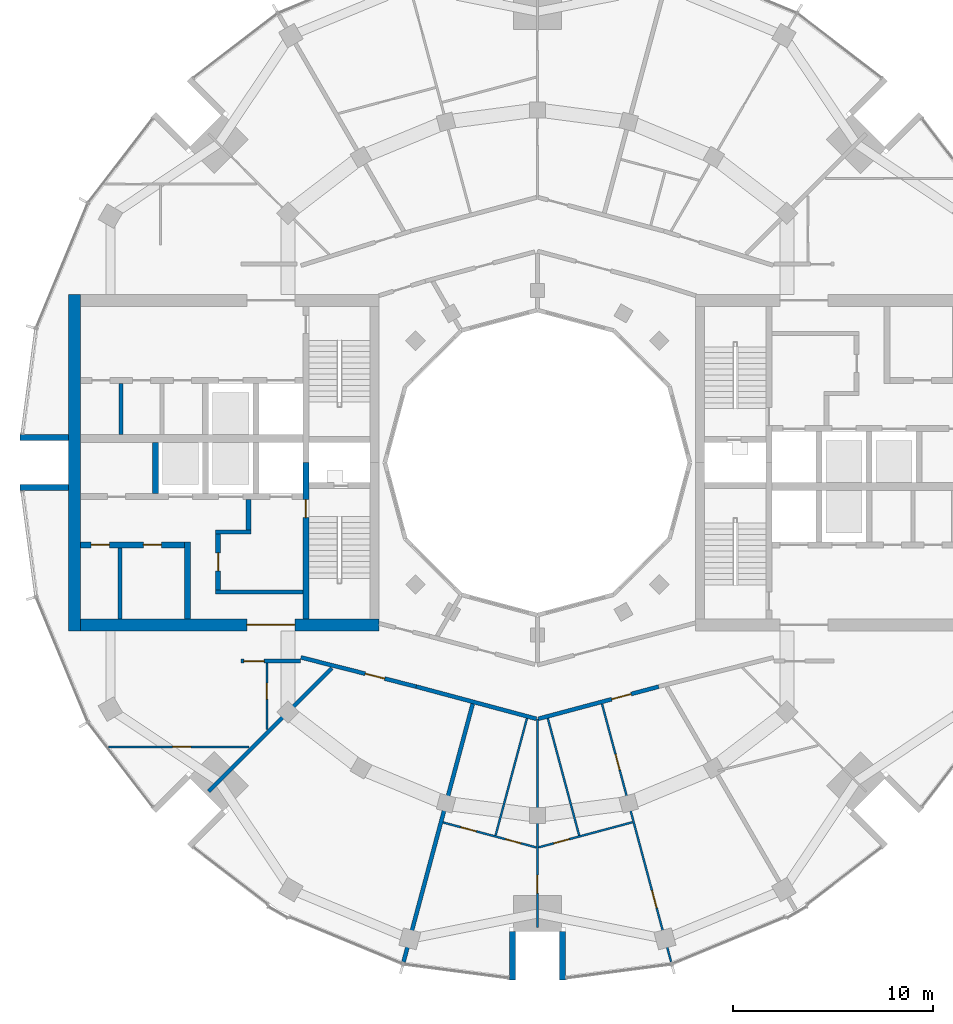
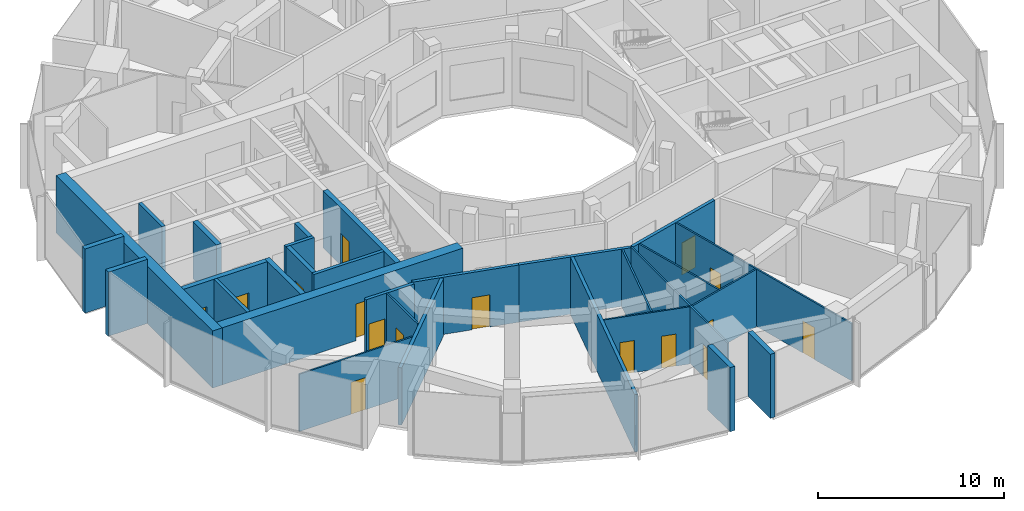
# One storey, part 8 of 15: 30 walls, 16 doors, 16 openings.
"""IFC4 building model written with IfcOpenShell, lengths in metres."""

from ifc_helpers import new_model, si_unit, direction, frame, frame_2d, origin, place, context, subcontext, project, spatial, rectangle, extrude, material, layer, layer_set, type_object, element, fill, save


model = new_model("IFC4")

# Units and contexts
model_context = context("Model", 3, precision=1e-05, world=origin(), true_north=direction((0.0, 1.0)))
body_context = subcontext(model_context, "Body", "Model", "MODEL_VIEW")
ifc_project = project(units=[si_unit("LENGTHUNIT", "METRE"), si_unit("AREAUNIT", "SQUARE_METRE"), si_unit("VOLUMEUNIT", "CUBIC_METRE"), si_unit("PLANEANGLEUNIT", "RADIAN"), si_unit("MASSUNIT", "GRAM", prefix="KILO")], contexts=[model_context])

# Site, building, storey
site_placement = place(None, origin())
site = spatial("IfcSite", under=ifc_project, at=site_placement, CompositionType="ELEMENT")
building_placement = place(site_placement, origin())
building = spatial("IfcBuilding", under=site, at=building_placement, Name="Torre Brocal", CompositionType="ELEMENT")
storey_placement = place(building_placement, frame((0.0, 0.0, 266.699951171875)))
storey = spatial("IfcBuildingStorey", under=building, at=storey_placement, Name="L61", CompositionType="ELEMENT", Elevation=266.699951171875)

# Walls
ifc_material_1 = material(Name="Masonry block", Category="masonry")
ifc_layer_1 = layer(ifc_material_1, 0.199951171875)
ifc_layer_set_1 = layer_set([ifc_layer_1], Name="Masonry block")
wall_type_1 = type_object("IfcWallType", Name="CORE PARTITION 200 UNDER 450 SLAB", PredefinedType="PARTITIONING", material=ifc_layer_set_1)
wall_1_placement = place(storey_placement, frame((59.2333984375, 78.949951171875, 0.0), z_axis=(0.0, 0.0, 1.0), x_axis=(0.0, -1.0, 0.0)))
element("IfcWall", 1, at=wall_1_placement, inside=storey, type_object=wall_type_1, Name="Wall CP200-S450", PredefinedType="PARTITIONING", context=body_context, shape_type="SweptSolid", body=[
    extrude(rectangle(XDim=2.550048828125, YDim=0.199951171875, at=frame_2d((1.27490234375, 0.0))), origin(), (0.0, 0.0, 1.0), 3.75),
])
wall_2_placement = place(storey_placement, frame((59.176025390625, 70.75, 0.0), z_axis=(0.0, 0.0, 1.0), x_axis=(0.0, -1.0, 0.0)))
element("IfcWall", 2, at=wall_2_placement, inside=storey, type_object=wall_type_1, Name="Wall CP200-S450", PredefinedType="PARTITIONING", context=body_context, shape_type="SweptSolid", body=[
    extrude(rectangle(XDim=3.550048828125, YDim=0.199951171875, at=frame_2d((1.77490234375, 0.0))), origin(), (0.0, 0.0, 1.0), 3.75),
])
ifc_material_2 = material(Name="Concrete C60", Category="concrete")
ifc_layer_2 = layer(ifc_material_2, 0.199951171875)
ifc_layer_set_2 = layer_set([ifc_layer_2], Name="Concrete C60")
wall_type_2 = type_object("IfcWallType", Name="CORE WALL 200 C60 UNDER 450 SLAB", PredefinedType="SHEAR", material=ifc_layer_set_2)
wall_3_placement = place(storey_placement, frame((68.300048828125, 68.550048828125, 0.0), z_axis=(0.0, 0.0, 1.0), x_axis=(-1.0, 0.0, 0.0)))
element("IfcWall", 3, at=wall_3_placement, inside=storey, type_object=wall_type_2, Name="Wall CW200-60-S450", PredefinedType="SHEAR", context=body_context, shape_type="SweptSolid", body=[
    extrude(rectangle(XDim=4.35009765625, YDim=0.199951171875, at=frame_2d((2.175048828125, 0.0))), origin(), (0.0, 0.0, 1.0), 3.75),
])
wall_4_placement = place(storey_placement, frame((65.699951171875, 71.550048828125, 0.0), z_axis=(0.0, 0.0, 1.0), x_axis=(-1.0, 0.0, 0.0)))
element("IfcWall", 4, at=wall_4_placement, inside=storey, type_object=wall_type_2, Name="Wall CW200-60-S450", PredefinedType="SHEAR", context=body_context, shape_type="SweptSolid", body=[
    extrude(rectangle(XDim=1.75, YDim=0.199951171875, at=frame_2d((0.875, 0.0))), origin(), (0.0, 0.0, 1.0), 3.75),
])

# Wall, opening, door
ifc_material_3 = material(Name="Concrete C60", Category="concrete")
ifc_layer_3 = layer(ifc_material_3, 0.25)
ifc_layer_set_3 = layer_set([ifc_layer_3], Name="Concrete C60")
wall_type_3 = type_object("IfcWallType", Name="CORE WALL 250 C60 UNDER 450 SLAB", PredefinedType="SHEAR", material=ifc_layer_set_3)
wall_5_placement = place(storey_placement, frame((64.074951171875, 71.449951171875, 0.0), z_axis=(0.0, 0.0, 1.0), x_axis=(0.0, -1.0, 0.0)))
wall_5 = element("IfcWall", 5, at=wall_5_placement, inside=storey, type_object=wall_type_3, Name="Wall CW250-60-S450", PredefinedType="SHEAR", context=body_context, shape_type="SweptSolid", body=[
    extrude(rectangle(XDim=2.800048828125, YDim=0.25, at=frame_2d((1.39990234375, 0.0))), origin(), (0.0, 0.0, 1.0), 3.75),
])
opening_1_placement = place(wall_5_placement, frame((0.949951171875, 0.0, 0.0)))
opening_1 = element("IfcOpeningElement", 6, at=opening_1_placement, cuts=wall_5, Name="Opening W-D08", PredefinedType="OPENING", context=body_context, shape_type="SweptSolid", body=[
    extrude(rectangle(XDim=0.89990234375, YDim=2.10009765625, at=frame_2d((0.449951171875, 1.050048828125))), frame((0.0, 0.135009765625, 0.0), z_axis=(0.0, -1.0, 0.0), x_axis=(1.0, 0.0, 0.0)), (0.0, 0.0, 1.0), 0.27001953125),
])
ifc_material_4 = material(Name="Steel A653", Category="steel")
door_type_1 = type_object("IfcDoorType", Name="LOBBY DOOR FD120 900X2100", OperationType="SINGLE_SWING_RIGHT", PredefinedType="DOOR", material=ifc_material_4)
door_1_placement = place(opening_1_placement, origin())
door_1 = element("IfcDoor", 7, at=door_1_placement, inside=storey, type_object=door_type_1, Name="Door W-D08", OperationType="SINGLE_SWING_LEFT", OverallHeight=2.10009765625, OverallWidth=0.89990234375, PredefinedType="DOOR", context=body_context, shape_type="SweptSolid", body=[
    extrude(rectangle(XDim=0.89990234375, YDim=2.10009765625, at=frame_2d((0.449951171875, 1.050048828125))), frame((0.0, 0.02490234375, 0.0), z_axis=(0.0, -1.0, 0.0), x_axis=(1.0, 0.0, 0.0)), (0.0, 0.0, 1.0), 0.050048828125),
])
fill(opening_1, door_1)

# Wall
wall_6_placement = place(storey_placement, frame((65.574951171875, 73.14990234375, 0.0), z_axis=(0.0, 0.0, 1.0), x_axis=(0.0, -1.0, 0.0)))
element("IfcWall", 8, at=wall_6_placement, inside=storey, type_object=wall_type_3, Name="Wall CW250-60-S450", PredefinedType="SHEAR", context=body_context, shape_type="SweptSolid", body=[
    extrude(rectangle(XDim=1.5, YDim=0.25, at=frame_2d((0.75, 0.0))), origin(), (0.0, 0.0, 1.0), 3.75),
])

# Wall, opening, door
ifc_material_5 = material(Name="Concrete C60", Category="concrete")
ifc_layer_4 = layer(ifc_material_5, 0.300048828125)
ifc_layer_set_4 = layer_set([ifc_layer_4], Name="Concrete C60")
wall_type_4 = type_object("IfcWallType", Name="CORE WALL 300 C60 UNDER 450 SLAB", PredefinedType="SHEAR", material=ifc_layer_set_4)
wall_7_placement = place(storey_placement, frame((68.449951171875, 75.0, 0.0), z_axis=(0.0, 0.0, 1.0), x_axis=(0.0, -1.0, 0.0)))
wall_7 = element("IfcWall", 9, at=wall_7_placement, inside=storey, type_object=wall_type_4, Name="Wall CW300-60-S450", PredefinedType="SHEAR", context=body_context, shape_type="SweptSolid", body=[
    extrude(rectangle(XDim=7.800048828125, YDim=0.300048828125, at=frame_2d((3.89990234375, 0.0))), origin(), (0.0, 0.0, 1.0), 3.75),
])
opening_2_placement = place(wall_7_placement, frame((1.85009765625, 0.0, 0.0)))
opening_2 = element("IfcOpeningElement", 10, at=opening_2_placement, cuts=wall_7, Name="Opening W-D02", PredefinedType="OPENING", context=body_context, shape_type="SweptSolid", body=[
    extrude(rectangle(XDim=0.89990234375, YDim=2.10009765625, at=frame_2d((0.449951171875, 1.050048828125))), frame((0.0, 0.159912109375, 0.0), z_axis=(0.0, -1.0, 0.0), x_axis=(1.0, 0.0, 0.0)), (0.0, 0.0, 1.0), 0.320068359375),
])
ifc_material_6 = material(Name="Steel A653", Category="steel")
door_type_2 = type_object("IfcDoorType", Name="STAIR DOOR FD120 900X2100", OperationType="SINGLE_SWING_RIGHT", PredefinedType="DOOR", material=ifc_material_6)
door_2_placement = place(opening_2_placement, origin())
door_2 = element("IfcDoor", 11, at=door_2_placement, inside=storey, type_object=door_type_2, Name="Door W-D02", OperationType="SINGLE_SWING_LEFT", OverallHeight=2.10009765625, OverallWidth=0.89990234375, PredefinedType="DOOR", context=body_context, shape_type="SweptSolid", body=[
    extrude(rectangle(XDim=0.89990234375, YDim=2.10009765625, at=frame_2d((0.449951171875, 1.050048828125))), frame((0.0, 0.02490234375, 0.0), z_axis=(0.0, -1.0, 0.0), x_axis=(1.0, 0.0, 0.0)), (0.0, 0.0, 1.0), 0.050048828125),
])
fill(opening_2, door_2)

# Walls
wall_8_placement = place(storey_placement, frame((60.949951171875, 76.0, 0.0), z_axis=(0.0, 0.0, 1.0), x_axis=(0.0, -1.0, 0.0)))
element("IfcWall", 12, at=wall_8_placement, inside=storey, type_object=wall_type_4, Name="Wall CW300-60-S450", PredefinedType="SHEAR", context=body_context, shape_type="SweptSolid", body=[
    extrude(rectangle(XDim=2.550048828125, YDim=0.300048828125, at=frame_2d((1.27490234375, 0.0))), origin(), (0.0, 0.0, 1.0), 3.75),
])
wall_9_placement = place(storey_placement, frame((62.550048828125, 71.050048828125, 0.0), z_axis=(0.0, 0.0, 1.0), x_axis=(0.0, -1.0, 0.0)))
element("IfcWall", 13, at=wall_9_placement, inside=storey, type_object=wall_type_4, Name="Wall CW300-60-S450", PredefinedType="SHEAR", context=body_context, shape_type="SweptSolid", body=[
    extrude(rectangle(XDim=3.85009765625, YDim=0.300048828125, at=frame_2d((1.925048828125, 0.0))), origin(), (0.0, 0.0, 1.0), 3.75),
])

# Wall, openings, doors
wall_10_placement = place(storey_placement, frame((62.39990234375, 70.89990234375, 0.0), z_axis=(0.0, 0.0, 1.0), x_axis=(-1.0, 0.0, 0.0)))
wall_10 = element("IfcWall", 14, at=wall_10_placement, inside=storey, type_object=wall_type_4, Name="Wall CW300-60-S450", PredefinedType="SHEAR", context=body_context, shape_type="SweptSolid", body=[
    extrude(rectangle(XDim=5.199951171875, YDim=0.300048828125, at=frame_2d((2.60009765625, 0.0))), origin(), (0.0, 0.0, 1.0), 3.75),
])
opening_3_placement = place(wall_10_placement, frame((1.162109375, 0.0, 0.0)))
opening_3 = element("IfcOpeningElement", 15, at=opening_3_placement, cuts=wall_10, Name="Opening W-D09", PredefinedType="OPENING", context=body_context, shape_type="SweptSolid", body=[
    extrude(rectangle(XDim=0.89990234375, YDim=2.10009765625, at=frame_2d((0.449951171875, 1.050048828125))), frame((0.0, 0.159912109375, 0.0), z_axis=(0.0, -1.0, 0.0), x_axis=(1.0, 0.0, 0.0)), (0.0, 0.0, 1.0), 0.320068359375),
])
opening_4_placement = place(wall_10_placement, frame((3.761962890625, 0.0, 0.0)))
opening_4 = element("IfcOpeningElement", 16, at=opening_4_placement, cuts=wall_10, Name="Opening W-D10", PredefinedType="OPENING", context=body_context, shape_type="SweptSolid", body=[
    extrude(rectangle(XDim=0.89990234375, YDim=2.10009765625, at=frame_2d((0.449951171875, 1.050048828125))), frame((0.0, 0.159912109375, 0.0), z_axis=(0.0, -1.0, 0.0), x_axis=(1.0, 0.0, 0.0)), (0.0, 0.0, 1.0), 0.320068359375),
])
ifc_material_7 = material(Name="Steel A653", Category="steel")
door_type_3 = type_object("IfcDoorType", Name="ROOM DOOR FD30S 900X2100", OperationType="SINGLE_SWING_LEFT", PredefinedType="DOOR", material=ifc_material_7)
door_3_placement = place(opening_3_placement, origin())
door_3 = element("IfcDoor", 17, at=door_3_placement, inside=storey, type_object=door_type_3, Name="Door W-D09", OperationType="SINGLE_SWING_RIGHT", OverallHeight=2.10009765625, OverallWidth=0.89990234375, PredefinedType="DOOR", context=body_context, shape_type="SweptSolid", body=[
    extrude(rectangle(XDim=0.89990234375, YDim=2.10009765625, at=frame_2d((0.449951171875, 1.050048828125))), frame((0.0, 0.02490234375, 0.0), z_axis=(0.0, -1.0, 0.0), x_axis=(1.0, 0.0, 0.0)), (0.0, 0.0, 1.0), 0.050048828125),
])
fill(opening_3, door_3)
door_4_placement = place(opening_4_placement, origin())
door_4 = element("IfcDoor", 18, at=door_4_placement, inside=storey, type_object=door_type_3, Name="Door W-D10", OperationType="SINGLE_SWING_LEFT", OverallHeight=2.10009765625, OverallWidth=0.89990234375, PredefinedType="DOOR", context=body_context, shape_type="SweptSolid", body=[
    extrude(rectangle(XDim=0.89990234375, YDim=2.10009765625, at=frame_2d((0.449951171875, 1.050048828125))), frame((0.0, 0.02490234375, 0.0), z_axis=(0.0, -1.0, 0.0), x_axis=(1.0, 0.0, 0.0)), (0.0, 0.0, 1.0), 0.050048828125),
])
fill(opening_4, door_4)

# Wall, opening, door
ifc_material_8 = material(Name="Concrete C60", Category="concrete")
ifc_layer_5 = layer(ifc_material_8, 0.60009765625)
ifc_layer_set_5 = layer_set([ifc_layer_5], Name="Concrete C60")
wall_type_5 = type_object("IfcWallType", Name="CORE WALL 600 C60 UNDER 450 SLAB", PredefinedType="SHEAR", material=ifc_layer_set_5)
wall_11_placement = place(storey_placement, frame((72.10009765625, 66.89990234375, 0.0), z_axis=(0.0, 0.0, 1.0), x_axis=(-1.0, 0.0, 0.0)))
wall_11 = element("IfcWall", 19, at=wall_11_placement, inside=storey, type_object=wall_type_5, Name="Wall CW600-60-S450", PredefinedType="SHEAR", context=body_context, shape_type="SweptSolid", body=[
    extrude(rectangle(XDim=14.900146484375, YDim=0.60009765625, at=frame_2d((7.4501953125, 0.0))), origin(), (0.0, 0.0, 1.0), 3.75),
])
opening_5_placement = place(wall_11_placement, frame((4.199951171875, 0.0, 0.0)))
opening_5 = element("IfcOpeningElement", 20, at=opening_5_placement, cuts=wall_11, Name="Opening W-D34", PredefinedType="OPENING", context=body_context, shape_type="SweptSolid", body=[
    extrude(rectangle(XDim=2.39990234375, YDim=2.39990234375, at=frame_2d((1.199951171875, 1.199951171875))), frame((0.0, 0.31005859375, 0.0), z_axis=(0.0, -1.0, 0.0), x_axis=(1.0, 0.0, 0.0)), (0.0, 0.0, 1.0), 0.6201171875),
])
ifc_material_9 = material(Name="Steel A653", Category="steel")
door_type_4 = type_object("IfcDoorType", Name="DOUBLE FIRE DOOR FD90 2400X2400", OperationType="DOUBLE_DOOR_SINGLE_SWING", PredefinedType="DOOR", material=ifc_material_9)
door_5_placement = place(opening_5_placement, frame((2.39990234375, 0.0, 0.0), z_axis=(0.0, 0.0, 1.0), x_axis=(-1.0, 0.0, 0.0)))
door_5 = element("IfcDoor", 21, at=door_5_placement, inside=storey, type_object=door_type_4, Name="Door W-D34", OperationType="DOUBLE_DOOR_SINGLE_SWING", OverallHeight=2.39990234375, OverallWidth=2.39990234375, PredefinedType="DOOR", context=body_context, shape_type="SweptSolid", body=[
    extrude(rectangle(XDim=2.39990234375, YDim=2.39990234375, at=frame_2d((1.199951171875, 1.199951171875))), frame((0.0, 0.02490234375, 0.0), z_axis=(0.0, -1.0, 0.0), x_axis=(1.0, 0.0, 0.0)), (0.0, 0.0, 1.0), 0.050048828125),
])
fill(opening_5, door_5)

# Walls
wall_12_placement = place(storey_placement, frame((56.89990234375, 83.39990234375, 0.0), z_axis=(0.0, 0.0, 1.0), x_axis=(0.0, -1.0, 0.0)))
element("IfcWall", 22, at=wall_12_placement, inside=storey, type_object=wall_type_5, Name="Wall CW600-60-S450", PredefinedType="SHEAR", context=body_context, shape_type="SweptSolid", body=[
    extrude(rectangle(XDim=16.7998046875, YDim=0.60009765625, at=frame_2d((8.39990234375, 0.0))), origin(), (0.0, 0.0, 1.0), 3.75),
])
ifc_material_10 = material(Name="Concrete C60", Category="concrete")
ifc_layer_6 = layer(ifc_material_10, 0.300048828125)
ifc_layer_set_6 = layer_set([ifc_layer_6], Name="Concrete C60")
wall_type_6 = type_object("IfcWallType", Name="NOTCH RETURN WALL 300 C60", PredefinedType="NOTDEFINED", material=ifc_layer_set_6)
for number, where, z_axis, x_axis, name in (
    (23, (56.60009765625, 76.25, 0.0), (0.0, 0.0, 1.0), (-1.0, 0.0, 0.0), "NOTCH RETURN WALL"),
    (24, (56.60009765625, 73.75, 0.0), (0.0, 0.0, 1.0), (-1.0, 0.0, 0.0), "NOTCH RETURN WALL"),
    (25, (78.75, 51.60009765625, 0.0), (0.0, 0.0, 1.0), (0.0, -1.0, 0.0), "NOTCH RETURN WALL"),
    (26, (81.25, 51.60009765625, 0.0), (0.0, 0.0, 1.0), (0.0, -1.0, 0.0), "NOTCH RETURN WALL"),
):
    element("IfcWall", number, at=place(storey_placement, frame(where, z_axis=z_axis, x_axis=x_axis)), inside=storey, type_object=wall_type_6, Name=name, PredefinedType="NOTDEFINED", context=body_context, shape_type="SweptSolid", body=[
        extrude(rectangle(XDim=2.415771484375, YDim=0.300048828125, at=frame_2d((1.2080078125, 0.0))), origin(), (0.0, 0.0, 1.0), 4.199951171875),
    ])

# Wall, opening, door
ifc_material_11 = material(Name="Gypsum board", Category="Gypsum")
ifc_layer_7 = layer(ifc_material_11, 0.10009765625)
ifc_layer_set_7 = layer_set([ifc_layer_7], Name="Gypsum board")
wall_type_7 = type_object("IfcWallType", Name="PARTITION 100", PredefinedType="PARTITIONING", material=ifc_layer_set_7)
wall_13_placement = place(storey_placement, frame((58.60009765625, 60.81201171875, 0.0), z_axis=(0.0, 0.0, 1.0), x_axis=(1.0, 0.0, 0.0)))
wall_13 = element("IfcWall", 27, at=wall_13_placement, inside=storey, type_object=wall_type_7, Name="ROOM PARTITION", PredefinedType="PARTITIONING", context=body_context, shape_type="SweptSolid", body=[
    extrude(rectangle(XDim=7.02197265625, YDim=0.10009765625, at=frame_2d((3.510986328125, 0.0))), origin(), (0.0, 0.0, 1.0), 3.75),
])
opening_6_placement = place(wall_13_placement, frame((3.20458984375, 0.0, 0.0)))
opening_6 = element("IfcOpeningElement", 28, at=opening_6_placement, cuts=wall_13, Name="Opening B05-D31", PredefinedType="OPENING", context=body_context, shape_type="SweptSolid", body=[
    extrude(rectangle(XDim=0.89990234375, YDim=2.10009765625, at=frame_2d((0.449951171875, 1.050048828125))), frame((0.0, 0.06005859375, 0.0), z_axis=(0.0, -1.0, 0.0), x_axis=(1.0, 0.0, 0.0)), (0.0, 0.0, 1.0), 0.1201171875),
])
ifc_material_12 = material(Name="Timber", Category="wood")
door_type_5 = type_object("IfcDoorType", Name="ROOM DOOR 900X2100", OperationType="SINGLE_SWING_LEFT", PredefinedType="DOOR", material=ifc_material_12)
door_6_placement = place(opening_6_placement, frame((0.89990234375, 0.0, 0.0), z_axis=(0.0, 0.0, 1.0), x_axis=(-1.0, 0.0, 0.0)))
door_6 = element("IfcDoor", 29, at=door_6_placement, inside=storey, type_object=door_type_5, Name="B05-D31", OperationType="SINGLE_SWING_LEFT", OverallHeight=2.10009765625, OverallWidth=0.89990234375, PredefinedType="DOOR", context=body_context, shape_type="SweptSolid", body=[
    extrude(rectangle(XDim=0.89990234375, YDim=2.10009765625, at=frame_2d((0.449951171875, 1.050048828125))), frame((0.0, 0.02490234375, 0.0), z_axis=(0.0, -1.0, 0.0), x_axis=(1.0, 0.0, 0.0)), (0.0, 0.0, 1.0), 0.050048828125),
])
fill(opening_6, door_6)

wall_14_placement = place(storey_placement, frame((66.5, 61.68994140625, 0.0), z_axis=(0.0, 0.0, 1.0), x_axis=(0.0, 1.0, 0.0)))
wall_14 = element("IfcWall", 30, at=wall_14_placement, inside=storey, type_object=wall_type_7, Name="BATHROOM WALL", PredefinedType="PARTITIONING", context=body_context, shape_type="SweptSolid", body=[
    extrude(rectangle(XDim=3.31005859375, YDim=0.10009765625, at=frame_2d((1.655029296875, 0.0))), origin(), (0.0, 0.0, 1.0), 3.75),
])
opening_7_placement = place(wall_14_placement, frame((1.510009765625, 0.0, 0.0)))
opening_7 = element("IfcOpeningElement", 31, at=opening_7_placement, cuts=wall_14, Name="Opening B05-D33", PredefinedType="OPENING", context=body_context, shape_type="SweptSolid", body=[
    extrude(rectangle(XDim=0.800048828125, YDim=2.10009765625, at=frame_2d((0.39990234375, 1.050048828125))), frame((0.0, 0.06005859375, 0.0), z_axis=(0.0, -1.0, 0.0), x_axis=(1.0, 0.0, 0.0)), (0.0, 0.0, 1.0), 0.1201171875),
])
ifc_material_13 = material(Name="Timber", Category="wood")
door_type_6 = type_object("IfcDoorType", Name="BATHROOM DOOR 800X2100", OperationType="SINGLE_SWING_LEFT", PredefinedType="DOOR", material=ifc_material_13)
door_7_placement = place(opening_7_placement, frame((0.800048828125, 0.0, 0.0), z_axis=(0.0, 0.0, 1.0), x_axis=(-1.0, 0.0, 0.0)))
door_7 = element("IfcDoor", 32, at=door_7_placement, inside=storey, type_object=door_type_6, Name="B05-D33", OperationType="SINGLE_SWING_LEFT", OverallHeight=2.10009765625, OverallWidth=0.800048828125, PredefinedType="DOOR", context=body_context, shape_type="SweptSolid", body=[
    extrude(rectangle(XDim=0.800048828125, YDim=2.10009765625, at=frame_2d((0.39990234375, 1.050048828125))), frame((0.0, 0.02490234375, 0.0), z_axis=(0.0, -1.0, 0.0), x_axis=(1.0, 0.0, 0.0)), (0.0, 0.0, 1.0), 0.050048828125),
])
fill(opening_7, door_7)

# Wall, openings, doors
wall_15_placement = place(storey_placement, frame((75.29296875, 57.046142578125, 0.0), z_axis=(0.0, 0.0, 1.0), x_axis=(0.965904119246, -0.258900043306, 0.0)))
wall_15 = element("IfcWall", 33, at=wall_15_placement, inside=storey, type_object=wall_type_7, Name="BATHROOM WALL", PredefinedType="PARTITIONING", context=body_context, shape_type="SweptSolid", body=[
    extrude(rectangle(XDim=4.81298828125, YDim=0.10009765625, at=frame_2d((2.406494140625, 0.0))), origin(), (0.0, 0.0, 1.0), 3.75),
])
opening_8_placement = place(wall_15_placement, frame((0.90966796875, 0.0, 0.0)))
opening_8 = element("IfcOpeningElement", 34, at=opening_8_placement, cuts=wall_15, Name="Opening B05-D28", PredefinedType="OPENING", context=body_context, shape_type="SweptSolid", body=[
    extrude(rectangle(XDim=0.800048828125, YDim=2.10009765625, at=frame_2d((0.39990234375, 1.050048828125))), frame((0.0, 0.06005859375, 0.0), z_axis=(0.0, -1.0, 0.0), x_axis=(1.0, 0.0, 0.0)), (0.0, 0.0, 1.0), 0.1201171875),
])
opening_9_placement = place(wall_15_placement, frame((3.226806640625, 0.0, 0.0)))
opening_9 = element("IfcOpeningElement", 35, at=opening_9_placement, cuts=wall_15, Name="Opening B05-D29", PredefinedType="OPENING", context=body_context, shape_type="SweptSolid", body=[
    extrude(rectangle(XDim=0.800048828125, YDim=2.10009765625, at=frame_2d((0.39990234375, 1.050048828125))), frame((0.0, 0.06005859375, 0.0), z_axis=(0.0, -1.0, 0.0), x_axis=(1.0, 0.0, 0.0)), (0.0, 0.0, 1.0), 0.1201171875),
])
door_8_placement = place(opening_8_placement, origin())
door_8 = element("IfcDoor", 36, at=door_8_placement, inside=storey, type_object=door_type_6, Name="B05-D28", OperationType="SINGLE_SWING_LEFT", OverallHeight=2.10009765625, OverallWidth=0.800048828125, PredefinedType="DOOR", context=body_context, shape_type="SweptSolid", body=[
    extrude(rectangle(XDim=0.800048828125, YDim=2.10009765625, at=frame_2d((0.39990234375, 1.050048828125))), frame((0.0, 0.02490234375, 0.0), z_axis=(0.0, -1.0, 0.0), x_axis=(1.0, 0.0, 0.0)), (0.0, 0.0, 1.0), 0.050048828125),
])
fill(opening_8, door_8)
door_9_placement = place(opening_9_placement, frame((0.800048828125, 0.0, 0.0), z_axis=(0.0, 0.0, 1.0), x_axis=(-1.0, 0.0, 0.0)))
door_9 = element("IfcDoor", 37, at=door_9_placement, inside=storey, type_object=door_type_6, Name="B05-D29", OperationType="SINGLE_SWING_LEFT", OverallHeight=2.10009765625, OverallWidth=0.800048828125, PredefinedType="DOOR", context=body_context, shape_type="SweptSolid", body=[
    extrude(rectangle(XDim=0.800048828125, YDim=2.10009765625, at=frame_2d((0.39990234375, 1.050048828125))), frame((0.0, 0.02490234375, 0.0), z_axis=(0.0, -1.0, 0.0), x_axis=(1.0, 0.0, 0.0)), (0.0, 0.0, 1.0), 0.050048828125),
])
fill(opening_9, door_9)

# Wall
wall_16_placement = place(storey_placement, frame((77.9140625, 56.3955078125, 0.0), z_axis=(0.0, 0.0, 1.0), x_axis=(0.258822816874, 0.965924815638, 0.0)))
element("IfcWall", 38, at=wall_16_placement, inside=storey, type_object=wall_type_7, Name="BATHROOM WALL", PredefinedType="PARTITIONING", context=body_context, shape_type="SweptSolid", body=[
    extrude(rectangle(XDim=6.050048828125, YDim=0.10009765625, at=frame_2d((3.02490234375, 0.0))), origin(), (0.0, 0.0, 1.0), 3.75),
])

# Wall, opening, door
wall_17_placement = place(storey_placement, frame((80.0, 51.800048828125, 0.0), z_axis=(0.0, 0.0, 1.0), x_axis=(0.0, 1.0, 0.0)))
wall_17 = element("IfcWall", 39, at=wall_17_placement, inside=storey, type_object=wall_type_7, Name="BATHROOM WALL", PredefinedType="PARTITIONING", context=body_context, shape_type="SweptSolid", body=[
    extrude(rectangle(XDim=10.404052734375, YDim=0.10009765625, at=frame_2d((5.2021484375, 0.0))), origin(), (0.0, 0.0, 1.0), 3.75),
])
opening_10_placement = place(wall_17_placement, frame((1.717529296875, 0.0, 0.0)))
opening_10 = element("IfcOpeningElement", 40, at=opening_10_placement, cuts=wall_17, Name="Opening B05-D27", PredefinedType="OPENING", context=body_context, shape_type="SweptSolid", body=[
    extrude(rectangle(XDim=0.89990234375, YDim=2.10009765625, at=frame_2d((0.449951171875, 1.050048828125))), frame((0.0, 0.06005859375, 0.0), z_axis=(0.0, -1.0, 0.0), x_axis=(1.0, 0.0, 0.0)), (0.0, 0.0, 1.0), 0.1201171875),
])
door_10_placement = place(opening_10_placement, frame((0.89990234375, 0.0, 0.0), z_axis=(0.0, 0.0, 1.0), x_axis=(-1.0, 0.0, 0.0)))
door_10 = element("IfcDoor", 41, at=door_10_placement, inside=storey, type_object=door_type_5, Name="B05-D27", OperationType="SINGLE_SWING_LEFT", OverallHeight=2.10009765625, OverallWidth=0.89990234375, PredefinedType="DOOR", context=body_context, shape_type="SweptSolid", body=[
    extrude(rectangle(XDim=0.89990234375, YDim=2.10009765625, at=frame_2d((0.449951171875, 1.050048828125))), frame((0.0, 0.02490234375, 0.0), z_axis=(0.0, -1.0, 0.0), x_axis=(1.0, 0.0, 0.0)), (0.0, 0.0, 1.0), 0.050048828125),
])
fill(opening_10, door_10)

wall_18_placement = place(storey_placement, frame((80.057861328125, 55.800537109375, 0.0), z_axis=(0.0, 0.0, 1.0), x_axis=(0.965968926881, 0.258658137896, 0.0)))
wall_18 = element("IfcWall", 42, at=wall_18_placement, inside=storey, type_object=wall_type_7, Name="BATHROOM WALL", PredefinedType="PARTITIONING", context=body_context, shape_type="SweptSolid", body=[
    extrude(rectangle(XDim=4.853515625, YDim=0.10009765625, at=frame_2d((2.4267578125, 0.0))), origin(), (0.0, 0.0, 1.0), 3.75),
])
opening_11_placement = place(wall_18_placement, frame((0.786376953125, 0.0, 0.0)))
opening_11 = element("IfcOpeningElement", 43, at=opening_11_placement, cuts=wall_18, Name="Opening B05-D25", PredefinedType="OPENING", context=body_context, shape_type="SweptSolid", body=[
    extrude(rectangle(XDim=0.800048828125, YDim=2.10009765625, at=frame_2d((0.39990234375, 1.050048828125))), frame((0.0, 0.06005859375, 0.0), z_axis=(0.0, -1.0, 0.0), x_axis=(1.0, 0.0, 0.0)), (0.0, 0.0, 1.0), 0.1201171875),
])
door_11_placement = place(opening_11_placement, origin())
door_11 = element("IfcDoor", 44, at=door_11_placement, inside=storey, type_object=door_type_6, Name="B05-D25", OperationType="SINGLE_SWING_RIGHT", OverallHeight=2.10009765625, OverallWidth=0.800048828125, PredefinedType="DOOR", context=body_context, shape_type="SweptSolid", body=[
    extrude(rectangle(XDim=0.800048828125, YDim=2.10009765625, at=frame_2d((0.39990234375, 1.050048828125))), frame((0.0, 0.02490234375, 0.0), z_axis=(0.0, -1.0, 0.0), x_axis=(1.0, 0.0, 0.0)), (0.0, 0.0, 1.0), 0.050048828125),
])
fill(opening_11, door_11)

# Wall
wall_19_placement = place(storey_placement, frame((80.52001953125, 62.239501953125, 0.0), z_axis=(0.0, 0.0, 1.0), x_axis=(0.258822816874, -0.965924815638, 0.0)))
element("IfcWall", 45, at=wall_19_placement, inside=storey, type_object=wall_type_7, Name="BATHROOM WALL", PredefinedType="PARTITIONING", context=body_context, shape_type="SweptSolid", body=[
    extrude(rectangle(XDim=6.050048828125, YDim=0.10009765625, at=frame_2d((3.02490234375, 0.0))), origin(), (0.0, 0.0, 1.0), 3.75),
])

# Wall, openings, doors
wall_20_placement = place(storey_placement, frame((83.226318359375, 62.954345703125, 0.0), z_axis=(0.0, 0.0, 1.0), x_axis=(0.258737611245, -0.965947642746, 0.0)))
wall_20 = element("IfcWall", 46, at=wall_20_placement, inside=storey, type_object=wall_type_7, Name="BATHROOM WALL", PredefinedType="PARTITIONING", context=body_context, shape_type="SweptSolid", body=[
    extrude(rectangle(XDim=13.328125, YDim=0.10009765625, at=frame_2d((6.6640625, 0.0))), origin(), (0.0, 0.0, 1.0), 3.75),
])
opening_12_placement = place(wall_20_placement, frame((9.6337890625, 0.0, 0.0)))
opening_12 = element("IfcOpeningElement", 47, at=opening_12_placement, cuts=wall_20, Name="Opening B05-D24", PredefinedType="OPENING", context=body_context, shape_type="SweptSolid", body=[
    extrude(rectangle(XDim=0.89990234375, YDim=2.10009765625, at=frame_2d((0.449951171875, 1.050048828125))), frame((0.0, 0.06005859375, 0.0), z_axis=(0.0, -1.0, 0.0), x_axis=(1.0, 0.0, 0.0)), (0.0, 0.0, 1.0), 0.1201171875),
])
opening_13_placement = place(wall_20_placement, frame((2.60009765625, 0.0, 0.0)))
opening_13 = element("IfcOpeningElement", 48, at=opening_13_placement, cuts=wall_20, Name="Opening B05-D26", PredefinedType="OPENING", context=body_context, shape_type="SweptSolid", body=[
    extrude(rectangle(XDim=0.800048828125, YDim=2.10009765625, at=frame_2d((0.39990234375, 1.050048828125))), frame((0.0, 0.06005859375, 0.0), z_axis=(0.0, -1.0, 0.0), x_axis=(1.0, 0.0, 0.0)), (0.0, 0.0, 1.0), 0.1201171875),
])
door_12_placement = place(opening_13_placement, frame((0.800048828125, 0.0, 0.0), z_axis=(0.0, 0.0, 1.0), x_axis=(-1.0, 0.0, 0.0)))
door_12 = element("IfcDoor", 49, at=door_12_placement, inside=storey, type_object=door_type_6, Name="B05-D26", OperationType="SINGLE_SWING_LEFT", OverallHeight=2.10009765625, OverallWidth=0.800048828125, PredefinedType="DOOR", context=body_context, shape_type="SweptSolid", body=[
    extrude(rectangle(XDim=0.800048828125, YDim=2.10009765625, at=frame_2d((0.39990234375, 1.050048828125))), frame((0.0, 0.02490234375, 0.0), z_axis=(0.0, -1.0, 0.0), x_axis=(1.0, 0.0, 0.0)), (0.0, 0.0, 1.0), 0.050048828125),
])
fill(opening_13, door_12)
door_13_placement = place(opening_12_placement, origin())
door_13 = element("IfcDoor", 50, at=door_13_placement, inside=storey, type_object=door_type_5, Name="B05-D24", OperationType="SINGLE_SWING_RIGHT", OverallHeight=2.10009765625, OverallWidth=0.89990234375, PredefinedType="DOOR", context=body_context, shape_type="SweptSolid", body=[
    extrude(rectangle(XDim=0.89990234375, YDim=2.10009765625, at=frame_2d((0.449951171875, 1.050048828125))), frame((0.0, 0.02490234375, 0.0), z_axis=(0.0, -1.0, 0.0), x_axis=(1.0, 0.0, 0.0)), (0.0, 0.0, 1.0), 0.050048828125),
])
fill(opening_12, door_13)

# Wall
ifc_material_14 = material(Name="Gypsum board", Category="Gypsum")
ifc_layer_8 = layer(ifc_material_14, 0.199951171875)
ifc_layer_set_8 = layer_set([ifc_layer_8], Name="Gypsum board")
wall_type_8 = type_object("IfcWallType", Name="PARTITION 200 EI60", PredefinedType="PARTITIONING", material=ifc_layer_set_8)
wall_21_placement = place(storey_placement, frame((63.591552734375, 58.599609375, 0.0), z_axis=(0.0, 0.0, 1.0), x_axis=(0.707261286313, 0.706952242293, 0.0)))
element("IfcWall", 51, at=wall_21_placement, inside=storey, type_object=wall_type_8, Name="BATHROOM WALL", PredefinedType="PARTITIONING", context=body_context, shape_type="SweptSolid", body=[
    extrude(rectangle(XDim=8.68994140625, YDim=0.199951171875, at=frame_2d((4.344970703125, 0.0))), origin(), (0.0, 0.0, 1.0), 3.75),
])

# Wall, opening, door
wall_22_placement = place(storey_placement, frame((65.199951171875, 65.10009765625, 0.0), z_axis=(0.0, 0.0, 1.0), x_axis=(1.0, 0.0, 0.0)))
wall_22 = element("IfcWall", 52, at=wall_22_placement, inside=storey, type_object=wall_type_8, Name="FLAT ENTRANCE WALL", PredefinedType="PARTITIONING", context=body_context, shape_type="SweptSolid", body=[
    extrude(rectangle(XDim=2.97998046875, YDim=0.199951171875, at=frame_2d((1.489990234375, 0.0))), origin(), (0.0, 0.0, 1.0), 3.75),
])
opening_14_placement = place(wall_22_placement, frame((0.159912109375, 0.0, 0.0)))
opening_14 = element("IfcOpeningElement", 53, at=opening_14_placement, cuts=wall_22, Name="Opening B05-D32", PredefinedType="OPENING", context=body_context, shape_type="SweptSolid", body=[
    extrude(rectangle(XDim=1.0, YDim=2.10009765625, at=frame_2d((0.5, 1.050048828125))), frame((0.0, 0.10986328125, 0.0), z_axis=(0.0, -1.0, 0.0), x_axis=(1.0, 0.0, 0.0)), (0.0, 0.0, 1.0), 0.219970703125),
])
ifc_material_15 = material(Name="Timber", Category="wood")
door_type_7 = type_object("IfcDoorType", Name="FLAT ENTRY DOOR FD30S 1000X2100", OperationType="SINGLE_SWING_RIGHT", PredefinedType="DOOR", material=ifc_material_15)
door_14_placement = place(opening_14_placement, frame((1.0, 0.0, 0.0), z_axis=(0.0, 0.0, 1.0), x_axis=(-1.0, 0.0, 0.0)))
door_14 = element("IfcDoor", 54, at=door_14_placement, inside=storey, type_object=door_type_7, Name="B05-D32", OperationType="SINGLE_SWING_LEFT", OverallHeight=2.10009765625, OverallWidth=1.0, PredefinedType="DOOR", context=body_context, shape_type="SweptSolid", body=[
    extrude(rectangle(XDim=1.0, YDim=2.10009765625, at=frame_2d((0.5, 1.050048828125))), frame((0.0, 0.02490234375, 0.0), z_axis=(0.0, -1.0, 0.0), x_axis=(1.0, 0.0, 0.0)), (0.0, 0.0, 1.0), 0.050048828125),
])
fill(opening_14, door_14)

wall_23_placement = place(storey_placement, frame((68.2001953125, 65.2802734375, 0.0), z_axis=(0.0, 0.0, 1.0), x_axis=(0.969428528216, -0.245373854926, 0.0)))
wall_23 = element("IfcWall", 55, at=wall_23_placement, inside=storey, type_object=wall_type_8, Name="FLAT ENTRANCE WALL", PredefinedType="PARTITIONING", context=body_context, shape_type="SweptSolid", body=[
    extrude(rectangle(XDim=5.927978515625, YDim=0.199951171875, at=frame_2d((2.9638671875, 0.0))), origin(), (0.0, 0.0, 1.0), 3.75),
])
opening_15_placement = place(wall_23_placement, frame((3.308837890625, 0.0, 0.0)))
opening_15 = element("IfcOpeningElement", 56, at=opening_15_placement, cuts=wall_23, Name="Opening B05-D30", PredefinedType="OPENING", context=body_context, shape_type="SweptSolid", body=[
    extrude(rectangle(XDim=1.0, YDim=2.10009765625, at=frame_2d((0.5, 1.050048828125))), frame((0.0, 0.10986328125, 0.0), z_axis=(0.0, -1.0, 0.0), x_axis=(1.0, 0.0, 0.0)), (0.0, 0.0, 1.0), 0.219970703125),
])
door_15_placement = place(opening_15_placement, frame((1.0, 0.0, 0.0), z_axis=(0.0, 0.0, 1.0), x_axis=(-1.0, 0.0, 0.0)))
door_15 = element("IfcDoor", 57, at=door_15_placement, inside=storey, type_object=door_type_7, Name="B05-D30", OperationType="SINGLE_SWING_RIGHT", OverallHeight=2.10009765625, OverallWidth=1.0, PredefinedType="DOOR", context=body_context, shape_type="SweptSolid", body=[
    extrude(rectangle(XDim=1.0, YDim=2.10009765625, at=frame_2d((0.5, 1.050048828125))), frame((0.0, 0.02490234375, 0.0), z_axis=(0.0, -1.0, 0.0), x_axis=(1.0, 0.0, 0.0)), (0.0, 0.0, 1.0), 0.050048828125),
])
fill(opening_15, door_15)

# Walls
wall_24_placement = place(storey_placement, frame((73.3203125, 50.08154296875, 0.0), z_axis=(0.0, 0.0, 1.0), x_axis=(0.258966962665, 0.965886179758, 0.0)))
element("IfcWall", 58, at=wall_24_placement, inside=storey, type_object=wall_type_8, Name="BATHROOM WALL", PredefinedType="PARTITIONING", context=body_context, shape_type="SweptSolid", body=[
    extrude(rectangle(XDim=13.337158203125, YDim=0.199951171875, at=frame_2d((6.66845703125, 0.0))), origin(), (0.0, 0.0, 1.0), 3.75),
])
wall_25_placement = place(storey_placement, frame((73.947021484375, 63.826416015625, 0.0), z_axis=(0.0, 0.0, 1.0), x_axis=(0.965856500469, -0.259077634122, 0.0)))
element("IfcWall", 59, at=wall_25_placement, inside=storey, type_object=wall_type_8, Name="FLAT ENTRANCE WALL", PredefinedType="PARTITIONING", context=body_context, shape_type="SweptSolid", body=[
    extrude(rectangle(XDim=6.216552734375, YDim=0.199951171875, at=frame_2d((3.1083984375, 0.0))), origin(), (0.0, 0.0, 1.0), 3.75),
])

# Wall, opening, door
wall_26_placement = place(storey_placement, frame((80.048095703125, 62.21728515625, 0.0), z_axis=(0.0, 0.0, 1.0), x_axis=(0.966097920642, 0.258175923996, 0.0)))
wall_26 = element("IfcWall", 60, at=wall_26_placement, inside=storey, type_object=wall_type_8, Name="FLAT ENTRANCE WALL", PredefinedType="PARTITIONING", context=body_context, shape_type="SweptSolid", body=[
    extrude(rectangle(XDim=6.216552734375, YDim=0.199951171875, at=frame_2d((3.1083984375, 0.0))), origin(), (0.0, 0.0, 1.0), 3.75),
])
opening_16_placement = place(wall_26_placement, frame((3.792236328125, 0.0, 0.0)))
opening_16 = element("IfcOpeningElement", 61, at=opening_16_placement, cuts=wall_26, Name="Opening B05-D23", PredefinedType="OPENING", context=body_context, shape_type="SweptSolid", body=[
    extrude(rectangle(XDim=1.0, YDim=2.10009765625, at=frame_2d((0.5, 1.050048828125))), frame((0.0, 0.10986328125, 0.0), z_axis=(0.0, -1.0, 0.0), x_axis=(1.0, 0.0, 0.0)), (0.0, 0.0, 1.0), 0.219970703125),
])
door_16_placement = place(opening_16_placement, frame((1.0, 0.0, 0.0), z_axis=(0.0, 0.0, 1.0), x_axis=(-1.0, 0.0, 0.0)))
door_16 = element("IfcDoor", 62, at=door_16_placement, inside=storey, type_object=door_type_7, Name="B05-D23", OperationType="SINGLE_SWING_RIGHT", OverallHeight=2.10009765625, OverallWidth=1.0, PredefinedType="DOOR", context=body_context, shape_type="SweptSolid", body=[
    extrude(rectangle(XDim=1.0, YDim=2.10009765625, at=frame_2d((0.5, 1.050048828125))), frame((0.0, 0.02490234375, 0.0), z_axis=(0.0, -1.0, 0.0), x_axis=(1.0, 0.0, 0.0)), (0.0, 0.0, 1.0), 0.050048828125),
])
fill(opening_16, door_16)

save(model, "model.ifc")
